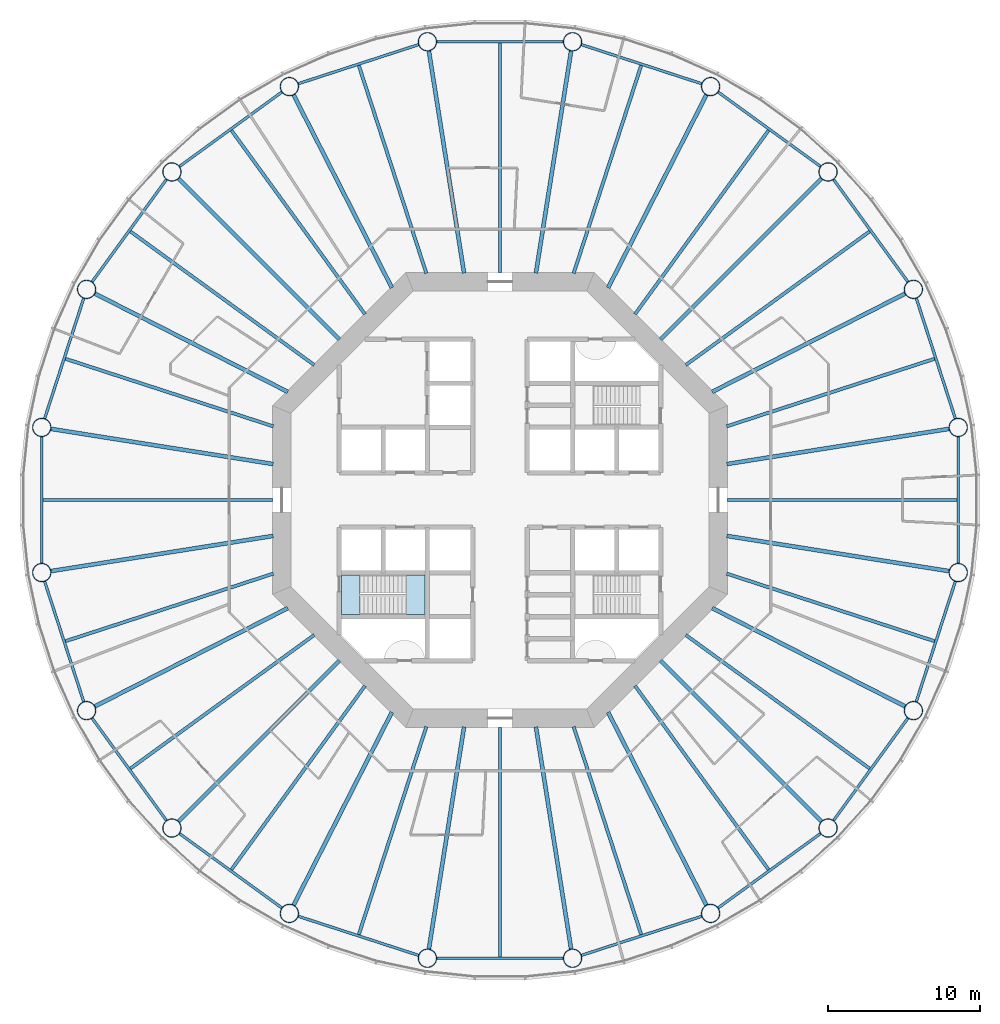
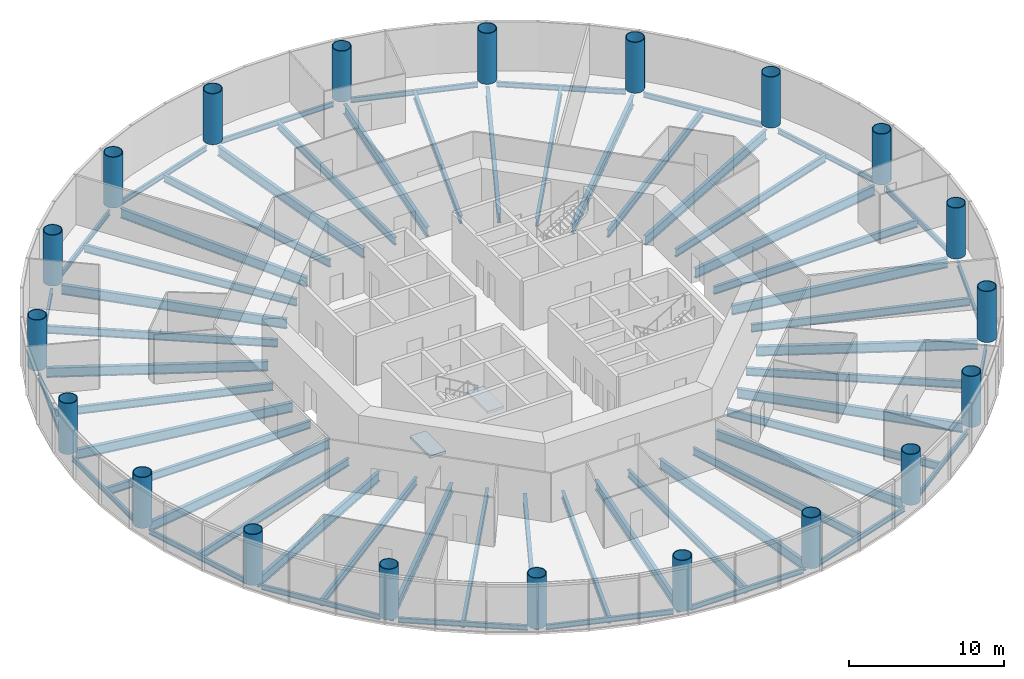
# One storey, part 1 of 13: 60 beams, 20 columns, 2 slabs, 1 element without a shape of its own.
"""IFC4 building model written with IfcOpenShell, lengths in metres."""

from ifc_helpers import new_model, si_unit, direction, frame, origin, origin_2d, place, context, subcontext, project, spatial, polyline, circle, hollow_circle, i_section, outline, extrude, material, layer, layer_set, material_profile, profile_set, type_object, element, aggregate, save


model = new_model("IFC4")

# Units and contexts
model_context = context("Model", 3, precision=1e-05, world=origin(), true_north=direction((0.0, 1.0)))
body_context = subcontext(model_context, "Body", "Model", "MODEL_VIEW")
ifc_project = project(units=[si_unit("LENGTHUNIT", "METRE"), si_unit("AREAUNIT", "SQUARE_METRE"), si_unit("VOLUMEUNIT", "CUBIC_METRE"), si_unit("PLANEANGLEUNIT", "RADIAN"), si_unit("MASSUNIT", "GRAM", prefix="KILO")], contexts=[model_context])

# Site, building, storey
site_placement = place(None, origin())
site = spatial("IfcSite", under=ifc_project, at=site_placement, CompositionType="ELEMENT")
building_placement = place(site_placement, origin())
building = spatial("IfcBuilding", under=site, at=building_placement, Name="Entoto Ring Tower", CompositionType="ELEMENT")
storey_placement = place(building_placement, frame((0.0, 0.0, 124.0)))
storey = spatial("IfcBuildingStorey", under=building, at=storey_placement, Name="L28", CompositionType="ELEMENT", Elevation=124.0)

# Columns
ifc_material_1 = material(Name="Steel S355", Category="steel")
ifc_material_profile_1 = material_profile(ifc_material_1, hollow_circle(Radius=0.625, WallThickness=0.054931640625, at=origin_2d()), Name="CHS 1250 x 55")
ifc_material_2 = material(Name="Concrete C60/75", Category="concrete")
ifc_material_profile_2 = material_profile(ifc_material_2, circle(Radius=0.570068359375, at=origin_2d()), Name="Concrete C60/75 infill")
ifc_profile_set_1 = profile_set([ifc_material_profile_1, ifc_material_profile_2], Name="Steel S355")
column_type = type_object("IfcColumnType", Name="Ring column 1250 x 55 concrete-filled tube", PredefinedType="COLUMN", material=ifc_profile_set_1)
for number, where, z_axis, x_axis, name in (
    (1, (120.22314453125, 84.786865234375, 0.0), (0.0, 0.0, 1.0), (1.0, 0.0, 0.0), "RC2 R01"),
    (2, (117.264892578125, 93.89208984375, 0.0), (0.0, 0.0, 1.0), (1.0, 0.0, 0.0), "RC2 R02"),
    (3, (111.637451171875, 101.637451171875, 0.0), (0.0, 0.0, 1.0), (1.0, 0.0, 0.0), "RC2 R03"),
    (4, (103.89208984375, 107.264892578125, 0.0), (0.0, 0.0, 1.0), (1.0, 0.0, 0.0), "RC2 R04"),
    (5, (94.786865234375, 110.22314453125, 0.0), (0.0, 0.0, 1.0), (1.0, 0.0, 0.0), "RC2 R05"),
    (6, (85.213134765625, 110.22314453125, 0.0), (0.0, 0.0, 1.0), (1.0, 0.0, 0.0), "RC2 R06"),
    (7, (76.10791015625, 107.264892578125, 0.0), (0.0, 0.0, 1.0), (1.0, 0.0, 0.0), "RC2 R07"),
    (8, (68.362548828125, 101.637451171875, 0.0), (0.0, 0.0, 1.0), (1.0, 0.0, 0.0), "RC2 R08"),
    (9, (62.735107421875, 93.89208984375, 0.0), (0.0, 0.0, 1.0), (1.0, 0.0, 0.0), "RC2 R09"),
    (10, (59.77685546875, 84.786865234375, 0.0), (0.0, 0.0, 1.0), (1.0, 0.0, 0.0), "RC2 R10"),
    (11, (59.77685546875, 75.213134765625, 0.0), (0.0, 0.0, 1.0), (1.0, 0.0, 0.0), "RC2 R11"),
    (12, (62.735107421875, 66.10791015625, 0.0), (0.0, 0.0, 1.0), (1.0, 0.0, 0.0), "RC2 R12"),
    (13, (68.362548828125, 58.362548828125, 0.0), (0.0, 0.0, 1.0), (1.0, 0.0, 0.0), "RC2 R13"),
    (14, (76.10791015625, 52.735107421875, 0.0), (0.0, 0.0, 1.0), (1.0, 0.0, 0.0), "RC2 R14"),
    (15, (85.213134765625, 49.77685546875, 0.0), (0.0, 0.0, 1.0), (1.0, 0.0, 0.0), "RC2 R15"),
    (16, (94.786865234375, 49.77685546875, 0.0), (0.0, 0.0, 1.0), (1.0, 0.0, 0.0), "RC2 R16"),
    (17, (103.89208984375, 52.735107421875, 0.0), (0.0, 0.0, 1.0), (1.0, 0.0, 0.0), "RC2 R17"),
    (18, (111.637451171875, 58.362548828125, 0.0), (0.0, 0.0, 1.0), (1.0, 0.0, 0.0), "RC2 R18"),
    (19, (117.264892578125, 66.10791015625, 0.0), (0.0, 0.0, 1.0), (1.0, 0.0, 0.0), "RC2 R19"),
    (20, (120.22314453125, 75.213134765625, 0.0), (0.0, 0.0, 1.0), (1.0, 0.0, 0.0), "RC2 R20"),
):
    element("IfcColumn", number, at=place(storey_placement, frame(where, z_axis=z_axis, x_axis=x_axis)), inside=storey, type_object=column_type, Name=name, PredefinedType="COLUMN", context=body_context, shape_type="SweptSolid", body=[
        extrude(hollow_circle(Radius=0.625, WallThickness=0.054931640625, at=origin_2d()), origin(), (0.0, 0.0, 1.0), 4.0),
    ])

# Beams
ifc_material_3 = material(Name="Steel S355", Category="steel")
ifc_material_profile_3 = material_profile(ifc_material_3, i_section(OverallWidth=0.179931640625, OverallDepth=0.39990234375, WebThickness=0.008544921875, FlangeThickness=0.013427734375, FilletRadius=0.02099609375, at=origin_2d()), Name="IPE 400")
ifc_profile_set_2 = profile_set([ifc_material_profile_3], Name="Steel S355")
beam_type_1 = type_object("IfcBeamType", Name="Edge beam IPE 400", PredefinedType="SPANDREL", material=ifc_profile_set_2)
for number, where, z_axis, x_axis, name in (
    (21, (120.038330078125, 85.35595703125, -0.35009765625), (-0.309014241039, 0.951057410904, 0.0), (-0.951057410904, -0.309014241039, 0.0), "Edge beam L28 01"),
    (22, (116.9130859375, 94.376220703125, -0.35009765625), (-0.587783458554, 0.8090182976, 0.0), (-0.8090182976, -0.587783458554, 0.0), "Edge beam L28 02"),
    (23, (111.1533203125, 101.9892578125, -0.35009765625), (-0.8090182976, 0.587783458554, 0.0), (-0.587783458554, -0.8090182976, 0.0), "Edge beam L28 03"),
    (24, (103.322998046875, 107.44970703125, -0.35009765625), (-0.951057410904, 0.309014241039, 0.0), (-0.309014241039, -0.951057410904, 0.0), "Edge beam L28 04"),
    (25, (94.1884765625, 110.22314453125, -0.35009765625), (-1.0, 0.0, 0.0), (0.0, -1.0, 0.0), "Edge beam L28 05"),
    (26, (84.64404296875, 110.038330078125, -0.35009765625), (-0.951057410904, -0.309014241039, 0.0), (0.309014241039, -0.951057410904, 0.0), "Edge beam L28 06"),
    (27, (75.623779296875, 106.9130859375, -0.35009765625), (-0.8090182976, -0.587783458554, 0.0), (0.587783458554, -0.8090182976, 0.0), "Edge beam L28 07"),
    (28, (68.0107421875, 101.1533203125, -0.35009765625), (-0.587783458554, -0.8090182976, 0.0), (0.8090182976, -0.587783458554, 0.0), "Edge beam L28 08"),
    (29, (62.55029296875, 93.322998046875, -0.35009765625), (-0.309014241039, -0.951057410904, 0.0), (0.951057410904, -0.309014241039, 0.0), "Edge beam L28 09"),
    (30, (59.77685546875, 84.1884765625, -0.35009765625), (0.0, -1.0, 0.0), (1.0, 0.0, 0.0), "Edge beam L28 10"),
    (31, (59.961669921875, 74.64404296875, -0.35009765625), (0.309014241039, -0.951057410904, 0.0), (0.951057410904, 0.309014241039, 0.0), "Edge beam L28 11"),
    (32, (63.0869140625, 65.623779296875, -0.35009765625), (0.587783458554, -0.8090182976, 0.0), (0.8090182976, 0.587783458554, 0.0), "Edge beam L28 12"),
    (33, (68.8466796875, 58.0107421875, -0.35009765625), (0.8090182976, -0.587783458554, 0.0), (0.587783458554, 0.8090182976, 0.0), "Edge beam L28 13"),
    (34, (76.677001953125, 52.55029296875, -0.35009765625), (0.951057410904, -0.309014241039, 0.0), (0.309014241039, 0.951057410904, 0.0), "Edge beam L28 14"),
    (35, (85.8115234375, 49.77685546875, -0.35009765625), (1.0, 0.0, 0.0), (0.0, 1.0, 0.0), "Edge beam L28 15"),
    (36, (95.35595703125, 49.961669921875, -0.35009765625), (0.951057410904, 0.309014241039, 0.0), (-0.309014241039, 0.951057410904, 0.0), "Edge beam L28 16"),
    (37, (104.376220703125, 53.0869140625, -0.35009765625), (0.8090182976, 0.587783458554, 0.0), (-0.587783458554, 0.8090182976, 0.0), "Edge beam L28 17"),
    (38, (111.9892578125, 58.8466796875, -0.35009765625), (0.587783458554, 0.8090182976, 0.0), (-0.8090182976, 0.587783458554, 0.0), "Edge beam L28 18"),
    (39, (117.44970703125, 66.677001953125, -0.35009765625), (0.309014241039, 0.951057410904, 0.0), (-0.951057410904, 0.309014241039, 0.0), "Edge beam L28 19"),
    (40, (120.22314453125, 75.8115234375, -0.35009765625), (0.0, 1.0, 0.0), (-1.0, 0.0, 0.0), "Edge beam L28 20"),
):
    element("IfcBeam", number, at=place(storey_placement, frame(where, z_axis=z_axis, x_axis=x_axis)), inside=storey, type_object=beam_type_1, Name=name, PredefinedType="SPANDREL", context=body_context, shape_type="SweptSolid", body=[
        extrude(i_section(OverallWidth=0.179931640625, OverallDepth=0.39990234375, WebThickness=0.008544921875, FlangeThickness=0.013427734375, FilletRadius=0.02099609375, at=origin_2d()), origin(), (0.0, 0.0, 1.0), 8.376953125),
    ])
ifc_material_4 = material(Name="Steel S355", Category="steel")
ifc_material_profile_4 = material_profile(ifc_material_4, i_section(OverallWidth=0.262939453125, OverallDepth=0.7529296875, WebThickness=0.011474609375, FlangeThickness=0.01708984375, FilletRadius=0.01708984375, at=origin_2d()), Name="IPE 750 x 137")
ifc_profile_set_3 = profile_set([ifc_material_profile_4], Name="Steel S355")
beam_type_2 = type_object("IfcBeamType", Name="Primary floor beam IPE 750 x 137", PredefinedType="BEAM", material=ifc_profile_set_3)
beam_1_placement = place(storey_placement, frame((104.959716796875, 82.369384765625, -0.526611328125), z_axis=(0.98768960451, 0.156426484787, 0.0), x_axis=(-0.156426484787, 0.98768960451, 0.0)))
element("IfcBeam", 41, at=beam_1_placement, inside=storey, type_object=beam_type_2, Name="Primary L28 R01", PredefinedType="BEAM", context=body_context, shape_type="SweptSolid", body=[
    extrude(i_section(OverallWidth=0.262939453125, OverallDepth=0.7529296875, WebThickness=0.011474609375, FlangeThickness=0.01708984375, FilletRadius=0.01708984375, at=origin_2d()), origin(), (0.0, 0.0, 1.0), 14.86279296875),
])
beam_2_placement = place(storey_placement, frame((103.9970703125, 87.1318359375, -0.526611328125), z_axis=(0.891007312585, 0.453988952421, 0.0), x_axis=(-0.453988952421, 0.891007312585, 0.0)))
element("IfcBeam", 42, at=beam_2_placement, inside=storey, type_object=beam_type_2, Name="Primary L28 R02", PredefinedType="BEAM", context=body_context, shape_type="SweptSolid", body=[
    extrude(i_section(OverallWidth=0.262939453125, OverallDepth=0.7529296875, WebThickness=0.011474609375, FlangeThickness=0.01708984375, FilletRadius=0.01708984375, at=origin_2d()), origin(), (0.0, 0.0, 1.0), 14.2998046875),
])
beam_3_placement = place(storey_placement, frame((100.592529296875, 90.592529296875, -0.526611328125), z_axis=(0.707106781187, 0.707106781187, 0.0), x_axis=(-0.707106781187, 0.707106781187, 0.0)))
element("IfcBeam", 43, at=beam_3_placement, inside=storey, type_object=beam_type_2, Name="Primary L28 R03", PredefinedType="BEAM", context=body_context, shape_type="SweptSolid", body=[
    extrude(i_section(OverallWidth=0.262939453125, OverallDepth=0.7529296875, WebThickness=0.011474609375, FlangeThickness=0.01708984375, FilletRadius=0.01708984375, at=origin_2d()), origin(), (0.0, 0.0, 1.0), 15.029052734375),
])
beam_4_placement = place(storey_placement, frame((97.1318359375, 93.9970703125, -0.526611328125), z_axis=(0.453988952421, 0.891007312585, 0.0), x_axis=(-0.891007312585, 0.453988952421, 0.0)))
element("IfcBeam", 44, at=beam_4_placement, inside=storey, type_object=beam_type_2, Name="Primary L28 R04", PredefinedType="BEAM", context=body_context, shape_type="SweptSolid", body=[
    extrude(i_section(OverallWidth=0.262939453125, OverallDepth=0.7529296875, WebThickness=0.011474609375, FlangeThickness=0.01708984375, FilletRadius=0.01708984375, at=origin_2d()), origin(), (0.0, 0.0, 1.0), 14.2998046875),
])
for number, where, z_axis, x_axis, name in (
    (45, (92.369384765625, 94.959716796875, -0.526611328125), (0.156426484787, 0.98768960451, 0.0), (-0.98768960451, 0.156426484787, 0.0), "Primary L28 R05"),
    (46, (87.630615234375, 94.959716796875, -0.526611328125), (-0.156426484787, 0.98768960451, 0.0), (-0.98768960451, -0.156426484787, 0.0), "Primary L28 R06"),
):
    element("IfcBeam", number, at=place(storey_placement, frame(where, z_axis=z_axis, x_axis=x_axis)), inside=storey, type_object=beam_type_2, Name=name, PredefinedType="BEAM", context=body_context, shape_type="SweptSolid", body=[
        extrude(i_section(OverallWidth=0.262939453125, OverallDepth=0.7529296875, WebThickness=0.011474609375, FlangeThickness=0.01708984375, FilletRadius=0.01708984375, at=origin_2d()), origin(), (0.0, 0.0, 1.0), 14.86279296875),
    ])
beam_5_placement = place(storey_placement, frame((82.8681640625, 93.9970703125, -0.526611328125), z_axis=(-0.453988952421, 0.891007312585, 0.0), x_axis=(-0.891007312585, -0.453988952421, 0.0)))
element("IfcBeam", 47, at=beam_5_placement, inside=storey, type_object=beam_type_2, Name="Primary L28 R07", PredefinedType="BEAM", context=body_context, shape_type="SweptSolid", body=[
    extrude(i_section(OverallWidth=0.262939453125, OverallDepth=0.7529296875, WebThickness=0.011474609375, FlangeThickness=0.01708984375, FilletRadius=0.01708984375, at=origin_2d()), origin(), (0.0, 0.0, 1.0), 14.2998046875),
])
beam_6_placement = place(storey_placement, frame((79.407470703125, 90.592529296875, -0.526611328125), z_axis=(-0.707106781187, 0.707106781187, 0.0), x_axis=(-0.707106781187, -0.707106781187, 0.0)))
element("IfcBeam", 48, at=beam_6_placement, inside=storey, type_object=beam_type_2, Name="Primary L28 R08", PredefinedType="BEAM", context=body_context, shape_type="SweptSolid", body=[
    extrude(i_section(OverallWidth=0.262939453125, OverallDepth=0.7529296875, WebThickness=0.011474609375, FlangeThickness=0.01708984375, FilletRadius=0.01708984375, at=origin_2d()), origin(), (0.0, 0.0, 1.0), 15.029052734375),
])
beam_7_placement = place(storey_placement, frame((76.0029296875, 87.1318359375, -0.526611328125), z_axis=(-0.891007312585, 0.453988952421, 0.0), x_axis=(-0.453988952421, -0.891007312585, 0.0)))
element("IfcBeam", 49, at=beam_7_placement, inside=storey, type_object=beam_type_2, Name="Primary L28 R09", PredefinedType="BEAM", context=body_context, shape_type="SweptSolid", body=[
    extrude(i_section(OverallWidth=0.262939453125, OverallDepth=0.7529296875, WebThickness=0.011474609375, FlangeThickness=0.01708984375, FilletRadius=0.01708984375, at=origin_2d()), origin(), (0.0, 0.0, 1.0), 14.2998046875),
])
for number, where, z_axis, x_axis, name in (
    (50, (75.040283203125, 82.369384765625, -0.526611328125), (-0.98768960451, 0.156426484787, 0.0), (-0.156426484787, -0.98768960451, 0.0), "Primary L28 R10"),
    (51, (75.040283203125, 77.630615234375, -0.526611328125), (-0.98768960451, -0.156426484787, 0.0), (0.156426484787, -0.98768960451, 0.0), "Primary L28 R11"),
):
    element("IfcBeam", number, at=place(storey_placement, frame(where, z_axis=z_axis, x_axis=x_axis)), inside=storey, type_object=beam_type_2, Name=name, PredefinedType="BEAM", context=body_context, shape_type="SweptSolid", body=[
        extrude(i_section(OverallWidth=0.262939453125, OverallDepth=0.7529296875, WebThickness=0.011474609375, FlangeThickness=0.01708984375, FilletRadius=0.01708984375, at=origin_2d()), origin(), (0.0, 0.0, 1.0), 14.86279296875),
    ])
beam_8_placement = place(storey_placement, frame((76.0029296875, 72.8681640625, -0.526611328125), z_axis=(-0.891007312585, -0.453988952421, 0.0), x_axis=(0.453988952421, -0.891007312585, 0.0)))
element("IfcBeam", 52, at=beam_8_placement, inside=storey, type_object=beam_type_2, Name="Primary L28 R12", PredefinedType="BEAM", context=body_context, shape_type="SweptSolid", body=[
    extrude(i_section(OverallWidth=0.262939453125, OverallDepth=0.7529296875, WebThickness=0.011474609375, FlangeThickness=0.01708984375, FilletRadius=0.01708984375, at=origin_2d()), origin(), (0.0, 0.0, 1.0), 14.2998046875),
])
beam_9_placement = place(storey_placement, frame((79.407470703125, 69.407470703125, -0.526611328125), z_axis=(-0.707106781187, -0.707106781187, 0.0), x_axis=(0.707106781187, -0.707106781187, 0.0)))
element("IfcBeam", 53, at=beam_9_placement, inside=storey, type_object=beam_type_2, Name="Primary L28 R13", PredefinedType="BEAM", context=body_context, shape_type="SweptSolid", body=[
    extrude(i_section(OverallWidth=0.262939453125, OverallDepth=0.7529296875, WebThickness=0.011474609375, FlangeThickness=0.01708984375, FilletRadius=0.01708984375, at=origin_2d()), origin(), (0.0, 0.0, 1.0), 15.029052734375),
])
beam_10_placement = place(storey_placement, frame((82.8681640625, 66.0029296875, -0.526611328125), z_axis=(-0.453988952421, -0.891007312585, 0.0), x_axis=(0.891007312585, -0.453988952421, 0.0)))
element("IfcBeam", 54, at=beam_10_placement, inside=storey, type_object=beam_type_2, Name="Primary L28 R14", PredefinedType="BEAM", context=body_context, shape_type="SweptSolid", body=[
    extrude(i_section(OverallWidth=0.262939453125, OverallDepth=0.7529296875, WebThickness=0.011474609375, FlangeThickness=0.01708984375, FilletRadius=0.01708984375, at=origin_2d()), origin(), (0.0, 0.0, 1.0), 14.2998046875),
])
for number, where, z_axis, x_axis, name in (
    (55, (87.630615234375, 65.040283203125, -0.526611328125), (-0.156426484787, -0.98768960451, 0.0), (0.98768960451, -0.156426484787, 0.0), "Primary L28 R15"),
    (56, (92.369384765625, 65.040283203125, -0.526611328125), (0.156426484787, -0.98768960451, 0.0), (0.98768960451, 0.156426484787, 0.0), "Primary L28 R16"),
):
    element("IfcBeam", number, at=place(storey_placement, frame(where, z_axis=z_axis, x_axis=x_axis)), inside=storey, type_object=beam_type_2, Name=name, PredefinedType="BEAM", context=body_context, shape_type="SweptSolid", body=[
        extrude(i_section(OverallWidth=0.262939453125, OverallDepth=0.7529296875, WebThickness=0.011474609375, FlangeThickness=0.01708984375, FilletRadius=0.01708984375, at=origin_2d()), origin(), (0.0, 0.0, 1.0), 14.86279296875),
    ])
beam_11_placement = place(storey_placement, frame((97.1318359375, 66.0029296875, -0.526611328125), z_axis=(0.453988952421, -0.891007312585, 0.0), x_axis=(0.891007312585, 0.453988952421, 0.0)))
element("IfcBeam", 57, at=beam_11_placement, inside=storey, type_object=beam_type_2, Name="Primary L28 R17", PredefinedType="BEAM", context=body_context, shape_type="SweptSolid", body=[
    extrude(i_section(OverallWidth=0.262939453125, OverallDepth=0.7529296875, WebThickness=0.011474609375, FlangeThickness=0.01708984375, FilletRadius=0.01708984375, at=origin_2d()), origin(), (0.0, 0.0, 1.0), 14.2998046875),
])
beam_12_placement = place(storey_placement, frame((100.592529296875, 69.407470703125, -0.526611328125), z_axis=(0.707106781187, -0.707106781187, 0.0), x_axis=(0.707106781187, 0.707106781187, 0.0)))
element("IfcBeam", 58, at=beam_12_placement, inside=storey, type_object=beam_type_2, Name="Primary L28 R18", PredefinedType="BEAM", context=body_context, shape_type="SweptSolid", body=[
    extrude(i_section(OverallWidth=0.262939453125, OverallDepth=0.7529296875, WebThickness=0.011474609375, FlangeThickness=0.01708984375, FilletRadius=0.01708984375, at=origin_2d()), origin(), (0.0, 0.0, 1.0), 15.029052734375),
])
beam_13_placement = place(storey_placement, frame((103.9970703125, 72.8681640625, -0.526611328125), z_axis=(0.891007312585, -0.453988952421, 0.0), x_axis=(0.453988952421, 0.891007312585, 0.0)))
element("IfcBeam", 59, at=beam_13_placement, inside=storey, type_object=beam_type_2, Name="Primary L28 R19", PredefinedType="BEAM", context=body_context, shape_type="SweptSolid", body=[
    extrude(i_section(OverallWidth=0.262939453125, OverallDepth=0.7529296875, WebThickness=0.011474609375, FlangeThickness=0.01708984375, FilletRadius=0.01708984375, at=origin_2d()), origin(), (0.0, 0.0, 1.0), 14.2998046875),
])
beam_14_placement = place(storey_placement, frame((104.959716796875, 77.630615234375, -0.526611328125), z_axis=(0.98768960451, -0.156426484787, 0.0), x_axis=(0.156426484787, 0.98768960451, 0.0)))
element("IfcBeam", 60, at=beam_14_placement, inside=storey, type_object=beam_type_2, Name="Primary L28 R20", PredefinedType="BEAM", context=body_context, shape_type="SweptSolid", body=[
    extrude(i_section(OverallWidth=0.262939453125, OverallDepth=0.7529296875, WebThickness=0.011474609375, FlangeThickness=0.01708984375, FilletRadius=0.01708984375, at=origin_2d()), origin(), (0.0, 0.0, 1.0), 14.86279296875),
])
ifc_material_5 = material(Name="Steel S355", Category="steel")
ifc_material_profile_5 = material_profile(ifc_material_5, i_section(OverallWidth=0.219970703125, OverallDepth=0.60009765625, WebThickness=0.011962890625, FlangeThickness=0.01904296875, FilletRadius=0.02392578125, at=origin_2d()), Name="IPE 600")
ifc_profile_set_4 = profile_set([ifc_material_profile_5], Name="Steel S355")
beam_type_3 = type_object("IfcBeamType", Name="Secondary floor beam IPE 600", PredefinedType="JOIST", material=ifc_profile_set_4)
beam_15_placement = place(storey_placement, frame((104.947021484375, 84.856689453125, -0.449951171875), z_axis=(0.951057212949, 0.309014850288, 0.0), x_axis=(-0.309014850288, 0.951057212949, 0.0)))
element("IfcBeam", 61, at=beam_15_placement, inside=storey, type_object=beam_type_3, Name="Secondary beam L28 01", PredefinedType="JOIST", context=body_context, shape_type="SweptSolid", body=[
    extrude(i_section(OverallWidth=0.219970703125, OverallDepth=0.60009765625, WebThickness=0.011962890625, FlangeThickness=0.01904296875, FilletRadius=0.02392578125, at=origin_2d()), origin(), (0.0, 0.0, 1.0), 14.4169921875),
])
for number, where, z_axis, x_axis, name in (
    (62, (102.25634765625, 88.90478515625, -0.449951171875), (0.809019238239, 0.587782163866, 0.0), (-0.587782163866, 0.809019238239, 0.0), "Secondary beam L28 02"),
    (63, (98.90478515625, 92.25634765625, -0.449951171875), (0.587782163866, 0.809019238239, 0.0), (-0.809019238239, 0.587782163866, 0.0), "Secondary beam L28 03"),
):
    element("IfcBeam", number, at=place(storey_placement, frame(where, z_axis=z_axis, x_axis=x_axis)), inside=storey, type_object=beam_type_3, Name=name, PredefinedType="JOIST", context=body_context, shape_type="SweptSolid", body=[
        extrude(i_section(OverallWidth=0.219970703125, OverallDepth=0.60009765625, WebThickness=0.011962890625, FlangeThickness=0.01904296875, FilletRadius=0.02392578125, at=origin_2d()), origin(), (0.0, 0.0, 1.0), 14.983642578125),
    ])
beam_16_placement = place(storey_placement, frame((94.856689453125, 94.947021484375, -0.449951171875), z_axis=(0.309014850288, 0.951057212949, 0.0), x_axis=(-0.951057212949, 0.309014850288, 0.0)))
element("IfcBeam", 64, at=beam_16_placement, inside=storey, type_object=beam_type_3, Name="Secondary beam L28 04", PredefinedType="JOIST", context=body_context, shape_type="SweptSolid", body=[
    extrude(i_section(OverallWidth=0.219970703125, OverallDepth=0.60009765625, WebThickness=0.011962890625, FlangeThickness=0.01904296875, FilletRadius=0.02392578125, at=origin_2d()), origin(), (0.0, 0.0, 1.0), 14.4169921875),
])
beam_17_placement = place(storey_placement, frame((90.0, 94.97998046875, -0.449951171875), z_axis=(0.0, 1.0, 0.0), x_axis=(-1.0, 0.0, 0.0)))
element("IfcBeam", 65, at=beam_17_placement, inside=storey, type_object=beam_type_3, Name="Secondary beam L28 05", PredefinedType="JOIST", context=body_context, shape_type="SweptSolid", body=[
    extrude(i_section(OverallWidth=0.219970703125, OverallDepth=0.60009765625, WebThickness=0.011962890625, FlangeThickness=0.01904296875, FilletRadius=0.02392578125, at=origin_2d()), origin(), (0.0, 0.0, 1.0), 15.1533203125),
])
beam_18_placement = place(storey_placement, frame((85.143310546875, 94.947021484375, -0.449951171875), z_axis=(-0.309014850288, 0.951057212949, 0.0), x_axis=(-0.951057212949, -0.309014850288, 0.0)))
element("IfcBeam", 66, at=beam_18_placement, inside=storey, type_object=beam_type_3, Name="Secondary beam L28 06", PredefinedType="JOIST", context=body_context, shape_type="SweptSolid", body=[
    extrude(i_section(OverallWidth=0.219970703125, OverallDepth=0.60009765625, WebThickness=0.011962890625, FlangeThickness=0.01904296875, FilletRadius=0.02392578125, at=origin_2d()), origin(), (0.0, 0.0, 1.0), 14.4169921875),
])
for number, where, z_axis, x_axis, name in (
    (67, (81.09521484375, 92.25634765625, -0.449951171875), (-0.587782163866, 0.809019238239, 0.0), (-0.809019238239, -0.587782163866, 0.0), "Secondary beam L28 07"),
    (68, (77.74365234375, 88.90478515625, -0.449951171875), (-0.809019238239, 0.587782163866, 0.0), (-0.587782163866, -0.809019238239, 0.0), "Secondary beam L28 08"),
):
    element("IfcBeam", number, at=place(storey_placement, frame(where, z_axis=z_axis, x_axis=x_axis)), inside=storey, type_object=beam_type_3, Name=name, PredefinedType="JOIST", context=body_context, shape_type="SweptSolid", body=[
        extrude(i_section(OverallWidth=0.219970703125, OverallDepth=0.60009765625, WebThickness=0.011962890625, FlangeThickness=0.01904296875, FilletRadius=0.02392578125, at=origin_2d()), origin(), (0.0, 0.0, 1.0), 14.983642578125),
    ])
beam_19_placement = place(storey_placement, frame((75.052978515625, 84.856689453125, -0.449951171875), z_axis=(-0.951057212949, 0.309014850288, 0.0), x_axis=(-0.309014850288, -0.951057212949, 0.0)))
element("IfcBeam", 69, at=beam_19_placement, inside=storey, type_object=beam_type_3, Name="Secondary beam L28 09", PredefinedType="JOIST", context=body_context, shape_type="SweptSolid", body=[
    extrude(i_section(OverallWidth=0.219970703125, OverallDepth=0.60009765625, WebThickness=0.011962890625, FlangeThickness=0.01904296875, FilletRadius=0.02392578125, at=origin_2d()), origin(), (0.0, 0.0, 1.0), 14.4169921875),
])
beam_20_placement = place(storey_placement, frame((75.02001953125, 80.0, -0.449951171875), z_axis=(-1.0, 0.0, 0.0), x_axis=(0.0, -1.0, 0.0)))
element("IfcBeam", 70, at=beam_20_placement, inside=storey, type_object=beam_type_3, Name="Secondary beam L28 10", PredefinedType="JOIST", context=body_context, shape_type="SweptSolid", body=[
    extrude(i_section(OverallWidth=0.219970703125, OverallDepth=0.60009765625, WebThickness=0.011962890625, FlangeThickness=0.01904296875, FilletRadius=0.02392578125, at=origin_2d()), origin(), (0.0, 0.0, 1.0), 15.1533203125),
])
beam_21_placement = place(storey_placement, frame((75.052978515625, 75.143310546875, -0.449951171875), z_axis=(-0.951057212949, -0.309014850288, 0.0), x_axis=(0.309014850288, -0.951057212949, 0.0)))
element("IfcBeam", 71, at=beam_21_placement, inside=storey, type_object=beam_type_3, Name="Secondary beam L28 11", PredefinedType="JOIST", context=body_context, shape_type="SweptSolid", body=[
    extrude(i_section(OverallWidth=0.219970703125, OverallDepth=0.60009765625, WebThickness=0.011962890625, FlangeThickness=0.01904296875, FilletRadius=0.02392578125, at=origin_2d()), origin(), (0.0, 0.0, 1.0), 14.4169921875),
])
for number, where, z_axis, x_axis, name in (
    (72, (77.74365234375, 71.09521484375, -0.449951171875), (-0.809019238239, -0.587782163866, 0.0), (0.587782163866, -0.809019238239, 0.0), "Secondary beam L28 12"),
    (73, (81.09521484375, 67.74365234375, -0.449951171875), (-0.587782163866, -0.809019238239, 0.0), (0.809019238239, -0.587782163866, 0.0), "Secondary beam L28 13"),
):
    element("IfcBeam", number, at=place(storey_placement, frame(where, z_axis=z_axis, x_axis=x_axis)), inside=storey, type_object=beam_type_3, Name=name, PredefinedType="JOIST", context=body_context, shape_type="SweptSolid", body=[
        extrude(i_section(OverallWidth=0.219970703125, OverallDepth=0.60009765625, WebThickness=0.011962890625, FlangeThickness=0.01904296875, FilletRadius=0.02392578125, at=origin_2d()), origin(), (0.0, 0.0, 1.0), 14.983642578125),
    ])
beam_22_placement = place(storey_placement, frame((85.143310546875, 65.052978515625, -0.449951171875), z_axis=(-0.309014850288, -0.951057212949, 0.0), x_axis=(0.951057212949, -0.309014850288, 0.0)))
element("IfcBeam", 74, at=beam_22_placement, inside=storey, type_object=beam_type_3, Name="Secondary beam L28 14", PredefinedType="JOIST", context=body_context, shape_type="SweptSolid", body=[
    extrude(i_section(OverallWidth=0.219970703125, OverallDepth=0.60009765625, WebThickness=0.011962890625, FlangeThickness=0.01904296875, FilletRadius=0.02392578125, at=origin_2d()), origin(), (0.0, 0.0, 1.0), 14.4169921875),
])
beam_23_placement = place(storey_placement, frame((90.0, 65.02001953125, -0.449951171875), z_axis=(0.0, -1.0, 0.0), x_axis=(1.0, 0.0, 0.0)))
element("IfcBeam", 75, at=beam_23_placement, inside=storey, type_object=beam_type_3, Name="Secondary beam L28 15", PredefinedType="JOIST", context=body_context, shape_type="SweptSolid", body=[
    extrude(i_section(OverallWidth=0.219970703125, OverallDepth=0.60009765625, WebThickness=0.011962890625, FlangeThickness=0.01904296875, FilletRadius=0.02392578125, at=origin_2d()), origin(), (0.0, 0.0, 1.0), 15.1533203125),
])
beam_24_placement = place(storey_placement, frame((94.856689453125, 65.052978515625, -0.449951171875), z_axis=(0.309014850288, -0.951057212949, 0.0), x_axis=(0.951057212949, 0.309014850288, 0.0)))
element("IfcBeam", 76, at=beam_24_placement, inside=storey, type_object=beam_type_3, Name="Secondary beam L28 16", PredefinedType="JOIST", context=body_context, shape_type="SweptSolid", body=[
    extrude(i_section(OverallWidth=0.219970703125, OverallDepth=0.60009765625, WebThickness=0.011962890625, FlangeThickness=0.01904296875, FilletRadius=0.02392578125, at=origin_2d()), origin(), (0.0, 0.0, 1.0), 14.4169921875),
])
for number, where, z_axis, x_axis, name in (
    (77, (98.90478515625, 67.74365234375, -0.449951171875), (0.587782163866, -0.809019238239, 0.0), (0.809019238239, 0.587782163866, 0.0), "Secondary beam L28 17"),
    (78, (102.25634765625, 71.09521484375, -0.449951171875), (0.809019238239, -0.587782163866, 0.0), (0.587782163866, 0.809019238239, 0.0), "Secondary beam L28 18"),
):
    element("IfcBeam", number, at=place(storey_placement, frame(where, z_axis=z_axis, x_axis=x_axis)), inside=storey, type_object=beam_type_3, Name=name, PredefinedType="JOIST", context=body_context, shape_type="SweptSolid", body=[
        extrude(i_section(OverallWidth=0.219970703125, OverallDepth=0.60009765625, WebThickness=0.011962890625, FlangeThickness=0.01904296875, FilletRadius=0.02392578125, at=origin_2d()), origin(), (0.0, 0.0, 1.0), 14.983642578125),
    ])
beam_25_placement = place(storey_placement, frame((104.947021484375, 75.143310546875, -0.449951171875), z_axis=(0.951057212949, -0.309014850288, 0.0), x_axis=(0.309014850288, 0.951057212949, 0.0)))
element("IfcBeam", 79, at=beam_25_placement, inside=storey, type_object=beam_type_3, Name="Secondary beam L28 19", PredefinedType="JOIST", context=body_context, shape_type="SweptSolid", body=[
    extrude(i_section(OverallWidth=0.219970703125, OverallDepth=0.60009765625, WebThickness=0.011962890625, FlangeThickness=0.01904296875, FilletRadius=0.02392578125, at=origin_2d()), origin(), (0.0, 0.0, 1.0), 14.4169921875),
])
beam_26_placement = place(storey_placement, frame((104.97998046875, 80.0, -0.449951171875), z_axis=(1.0, 0.0, 0.0), x_axis=(0.0, 1.0, 0.0)))
element("IfcBeam", 80, at=beam_26_placement, inside=storey, type_object=beam_type_3, Name="Secondary beam L28 20", PredefinedType="JOIST", context=body_context, shape_type="SweptSolid", body=[
    extrude(i_section(OverallWidth=0.219970703125, OverallDepth=0.60009765625, WebThickness=0.011962890625, FlangeThickness=0.01904296875, FilletRadius=0.02392578125, at=origin_2d()), origin(), (0.0, 0.0, 1.0), 15.1533203125),
])

# Stair, slabs
ifc_material_6 = material(Name="Concrete C40/50", Category="concrete")
stair_type = type_object("IfcStairType", Name="Exit stair 1200 mm dog-leg reinforced concrete", PredefinedType="HALF_TURN_STAIR", material=ifc_material_6)
stair_placement = place(storey_placement, origin())
stair = element("IfcStair", 81, at=stair_placement, inside=storey, type_object=stair_type, Name="Exit stair 2", PredefinedType="HALF_TURN_STAIR")
ifc_material_7 = material(Name="Concrete C40/50", Category="concrete")
ifc_layer = layer(ifc_material_7, 0.199951171875)
ifc_layer_set = layer_set([ifc_layer], Name="Concrete C40/50")
slab_type = type_object("IfcSlabType", Name="Stair landing 200 mm reinforced concrete", PredefinedType="LANDING", material=ifc_layer_set)
slab_1_placement = place(storey_placement, frame((0.0, 0.0, -0.199951171875)))
slab_1 = element("IfcSlab", 82, at=slab_1_placement, type_object=slab_type, Name="ST2 landing 1", PredefinedType="LANDING", context=body_context, shape_type="SweptSolid", body=[
    extrude(outline(polyline([(80.75, 72.449951171875), (80.75, 75.050048828125), (79.550048828125, 75.050048828125), (79.550048828125, 72.449951171875), (80.75, 72.449951171875)])), origin(), (0.0, 0.0, 1.0), 0.199951171875),
])
slab_2_placement = place(storey_placement, frame((0.0, 0.0, 1.800048828125)))
slab_2 = element("IfcSlab", 83, at=slab_2_placement, type_object=slab_type, Name="ST2 landing 2", PredefinedType="LANDING", context=body_context, shape_type="SweptSolid", body=[
    extrude(outline(polyline([(83.830078125, 72.449951171875), (85.050048828125, 72.449951171875), (85.050048828125, 75.050048828125), (83.830078125, 75.050048828125), (83.830078125, 72.449951171875)])), origin(), (0.0, 0.0, 1.0), 0.199951171875),
])
aggregate(stair, [slab_1, slab_2])

save(model, "model.ifc")
